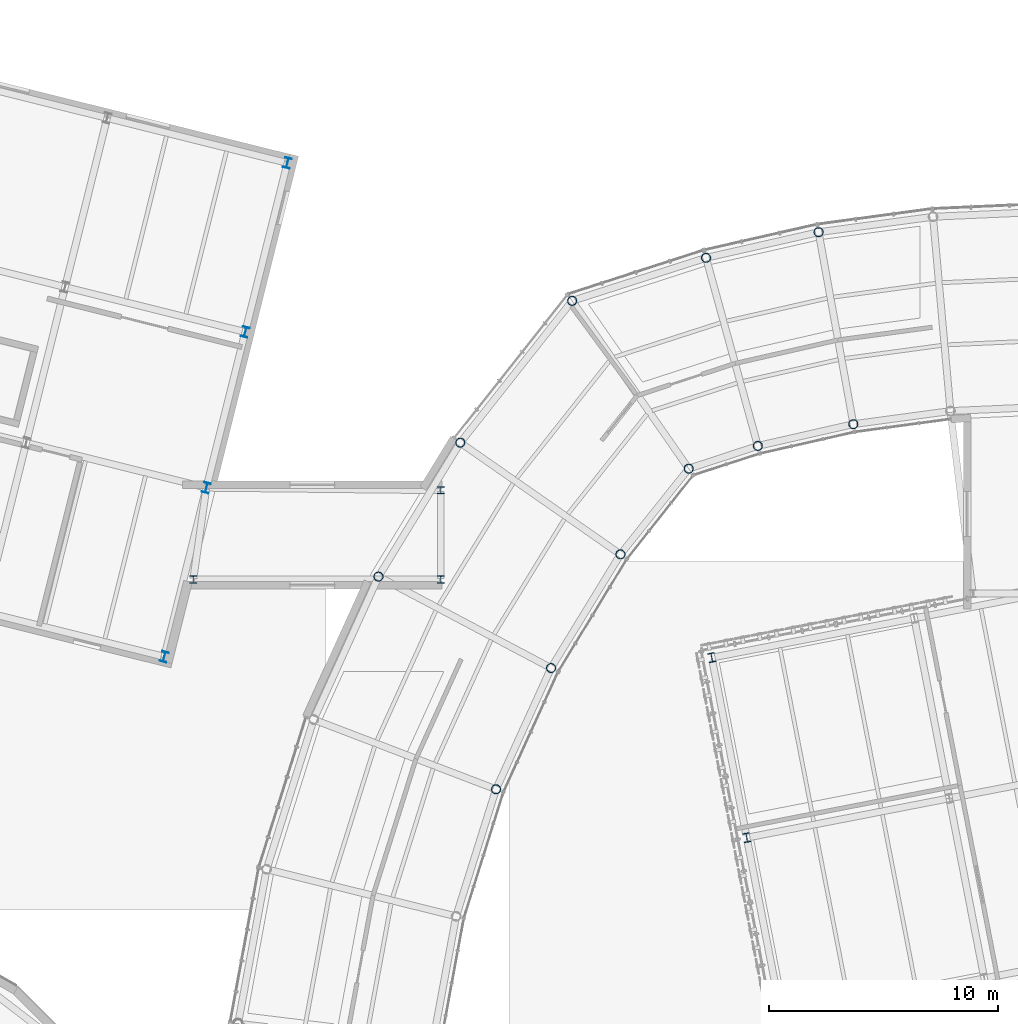
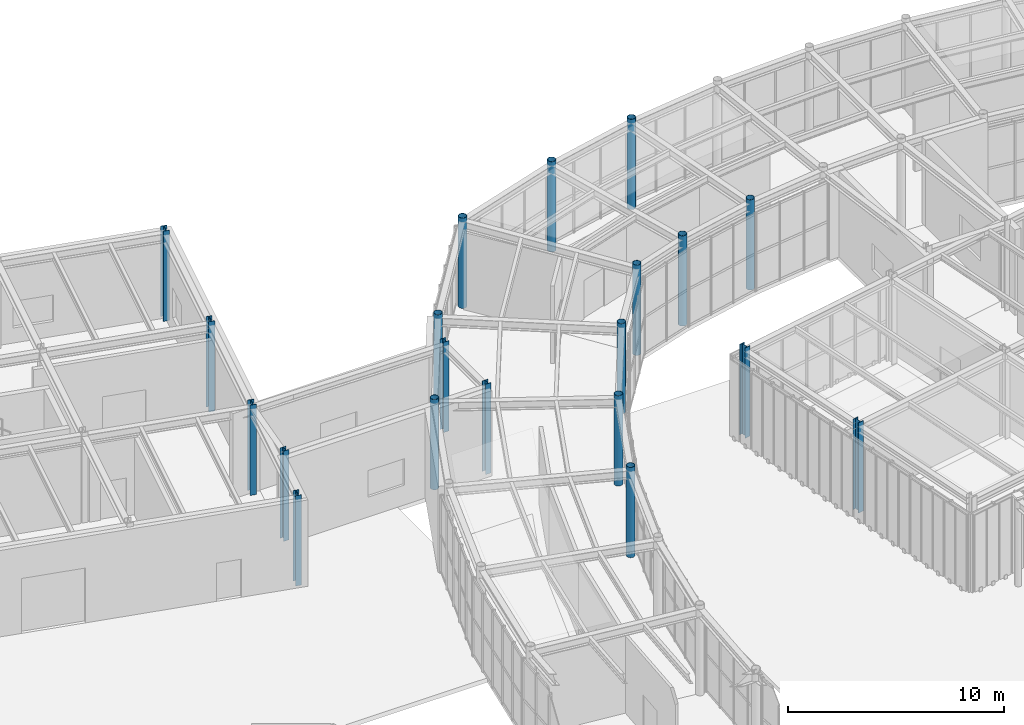
# One storey, part 10 of 97: 20 columns.
"""IFC4 building model written with IfcOpenShell, lengths in metres."""

from ifc_helpers import new_model, si_unit, direction, frame, origin, origin_2d, place, context, subcontext, project, spatial, hollow_circle, i_section, extrude, material, material_profile, profile_set, type_object, element, save


model = new_model("IFC4")

# Units and contexts
model_context = context("Model", 3, precision=1e-05, world=origin(), true_north=direction((0.0, 1.0)))
body_context = subcontext(model_context, "Body", "Model", "MODEL_VIEW")
ifc_project = project(units=[si_unit("LENGTHUNIT", "METRE"), si_unit("AREAUNIT", "SQUARE_METRE"), si_unit("VOLUMEUNIT", "CUBIC_METRE"), si_unit("PLANEANGLEUNIT", "RADIAN"), si_unit("MASSUNIT", "GRAM", prefix="KILO")], contexts=[model_context])

# Site, building, storey
site_placement = place(None, origin())
site = spatial("IfcSite", under=ifc_project, at=site_placement, CompositionType="ELEMENT")
building_placement = place(site_placement, origin())
building = spatial("IfcBuilding", under=site, at=building_placement, Name="Varnklinge Art Gallery", CompositionType="ELEMENT")
storey_placement = place(building_placement, origin())
storey = spatial("IfcBuildingStorey", under=building, at=storey_placement, Name="L00", CompositionType="ELEMENT", Elevation=0.0)

# Columns
ifc_material_1 = material(Name="Steel S355", Category="steel")
ifc_material_profile_1 = material_profile(ifc_material_1, i_section(OverallWidth=0.300048828125, OverallDepth=0.320068359375, WebThickness=0.011474609375, FlangeThickness=0.0205078125, FilletRadius=0.027099609375, at=origin_2d()), Name="HEB 320")
ifc_profile_set_1 = profile_set([ifc_material_profile_1], Name="Steel S355")
column_type_1 = type_object("IfcColumnType", Name="COL-09", PredefinedType="COLUMN", material=ifc_profile_set_1)
for number, where, z_axis, x_axis, name in (
    (1, (38.199951171875, 81.199951171875, 0.0), (0.0, 0.0, 1.0), (1.0, 0.0, 0.0), "L00 Column LNK-V5-C1"),
    (2, (49.0, 81.199951171875, 0.0), (0.0, 0.0, 1.0), (1.0, 0.0, 0.0), "L00 Column LNK-V5-C2"),
    (3, (49.0, 85.10009765625, 0.0), (0.0, 0.0, 1.0), (1.0, 0.0, 0.0), "L00 Column LNK-V5-C3"),
):
    element("IfcColumn", number, at=place(storey_placement, frame(where, z_axis=z_axis, x_axis=x_axis)), inside=storey, type_object=column_type_1, Name=name, PredefinedType="COLUMN", context=body_context, shape_type="SweptSolid", body=[
        extrude(i_section(OverallWidth=0.300048828125, OverallDepth=0.320068359375, WebThickness=0.011474609375, FlangeThickness=0.0205078125, FilletRadius=0.027099609375, at=origin_2d()), origin(), (0.0, 0.0, 1.0), 5.10009765625),
    ])
ifc_material_2 = material(Name="Steel S355", Category="steel")
ifc_material_profile_2 = material_profile(ifc_material_2, i_section(OverallWidth=0.300048828125, OverallDepth=0.449951171875, WebThickness=0.013916015625, FlangeThickness=0.02587890625, FilletRadius=0.027099609375, at=origin_2d()), Name="HEB 450")
ifc_profile_set_2 = profile_set([ifc_material_profile_2], Name="Steel S355")
column_type_2 = type_object("IfcColumnType", Name="COL-E2", PredefinedType="COLUMN", material=ifc_profile_set_2)
for number, where, z_axis, x_axis, name in (
    (4, (36.936279296875, 77.834716796875, 0.0), (0.0, 0.0, 1.0), (0.970295726276, -0.2419218956, 0.0), "L00 Column V5C-5-1"),
    (5, (38.77490234375, 85.208984375, 0.0), (0.0, 0.0, 1.0), (0.970295726276, -0.2419218956, 0.0), "L00 Column V5C-5-2"),
    (6, (40.468505859375, 92.001220703125, 0.0), (0.0, 0.0, 1.0), (0.970295726276, -0.2419218956, 0.0), "L00 Column V5C-5-3"),
    (7, (42.30712890625, 99.375244140625, 0.0), (0.0, 0.0, 1.0), (0.970295726276, -0.2419218956, 0.0), "L00 Column V5C-5-4"),
):
    element("IfcColumn", number, at=place(storey_placement, frame(where, z_axis=z_axis, x_axis=x_axis)), inside=storey, type_object=column_type_2, Name=name, PredefinedType="COLUMN", context=body_context, shape_type="SweptSolid", body=[
        extrude(i_section(OverallWidth=0.300048828125, OverallDepth=0.449951171875, WebThickness=0.013916015625, FlangeThickness=0.02587890625, FilletRadius=0.027099609375, at=origin_2d()), origin(), (0.0, 0.0, 1.0), 5.10009765625),
    ])
ifc_material_3 = material(Name="Steel S355", Category="steel")
ifc_material_profile_3 = material_profile(ifc_material_3, i_section(OverallWidth=0.300048828125, OverallDepth=0.39990234375, WebThickness=0.013427734375, FlangeThickness=0.02392578125, FilletRadius=0.027099609375, at=origin_2d()), Name="HEB 400")
ifc_profile_set_3 = profile_set([ifc_material_profile_3], Name="Steel S355")
column_type_3 = type_object("IfcColumnType", Name="COL-E3", PredefinedType="COLUMN", material=ifc_profile_set_3)
for number, where, z_axis, x_axis, name in (
    (8, (62.34619140625, 69.943115234375, 0.0), (0.0, 0.0, 1.0), (0.981627183448, 0.190808995377, 0.0), "L00 Column V4BC-1-2"),
    (9, (60.819580078125, 77.796142578125, 0.0), (0.0, 0.0, 1.0), (0.981627183448, 0.190808995377, 0.0), "L00 Column V4BC-1-3"),
):
    element("IfcColumn", number, at=place(storey_placement, frame(where, z_axis=z_axis, x_axis=x_axis)), inside=storey, type_object=column_type_3, Name=name, PredefinedType="COLUMN", context=body_context, shape_type="SweptSolid", body=[
        extrude(i_section(OverallWidth=0.300048828125, OverallDepth=0.39990234375, WebThickness=0.013427734375, FlangeThickness=0.02392578125, FilletRadius=0.027099609375, at=origin_2d()), origin(), (0.0, 0.0, 1.0), 5.10009765625),
    ])
ifc_material_4 = material(Name="Steel S355", Category="steel")
ifc_material_profile_4 = material_profile(ifc_material_4, hollow_circle(Radius=0.203125, WallThickness=0.02001953125, at=origin_2d()), Name="CHS 406.4x20")
ifc_profile_set_4 = profile_set([ifc_material_profile_4], Name="Steel S355")
column_type_4 = type_object("IfcColumnType", Name="COL-E5", PredefinedType="COLUMN", material=ifc_profile_set_4)
for number, where, z_axis, x_axis, name in (
    (10, (65.479736328125, 96.35498046875, 0.0), (0.0, 0.0, 1.0), (0.178115290264, -0.984009625651, 0.0), "L00 Column V2CO-19"),
    (11, (66.99560546875, 87.981689453125, 0.0), (0.0, 0.0, 1.0), (0.178115290264, -0.984009625651, 0.0), "L00 Column V2CI-19"),
    (12, (60.5703125, 95.2373046875, 0.0), (0.0, 0.0, 1.0), (0.265387847052, -0.964141737836, 0.0), "L00 Column V2CO-20"),
    (13, (62.82861328125, 87.033203125, 0.0), (0.0, 0.0, 1.0), (0.265387847052, -0.964141737836, 0.0), "L00 Column V2CI-20"),
    (14, (54.72900390625, 93.35986328125, 0.0), (0.0, 0.0, 1.0), (0.570570241419, -0.821248804935, 0.0), "L00 Column V2CO-21"),
    (15, (59.814208984375, 86.041015625, 0.0), (0.0, 0.0, 1.0), (0.570570241419, -0.821248804935, 0.0), "L00 Column V2CI-21"),
    (16, (49.85009765625, 87.1748046875, 0.0), (0.0, 0.0, 1.0), (0.820351542489, -0.571859551582, 0.0), "L00 Column V2CO-22"),
    (17, (56.8369140625, 82.3037109375, 0.0), (0.0, 0.0, 1.0), (0.820351542489, -0.571859551582, 0.0), "L00 Column V2CI-22"),
    (18, (46.28369140625, 81.3310546875, 0.0), (0.0, 0.0, 1.0), (0.883683947469, -0.468084053333, 0.0), "L00 Column V2CO-23"),
    (19, (53.810302734375, 77.344482421875, 0.0), (0.0, 0.0, 1.0), (0.883683947469, -0.468084053333, 0.0), "L00 Column V2CI-23"),
    (20, (51.40869140625, 72.0546875, 0.0), (0.0, 0.0, 1.0), (0.934017558691, -0.357227098715, 0.0), "L00 Column V2CI-24"),
):
    element("IfcColumn", number, at=place(storey_placement, frame(where, z_axis=z_axis, x_axis=x_axis)), inside=storey, type_object=column_type_4, Name=name, PredefinedType="COLUMN", context=body_context, shape_type="SweptSolid", body=[
        extrude(hollow_circle(Radius=0.203125, WallThickness=0.02001953125, at=origin_2d()), origin(), (0.0, 0.0, 1.0), 5.10009765625),
    ])

save(model, "model.ifc")
